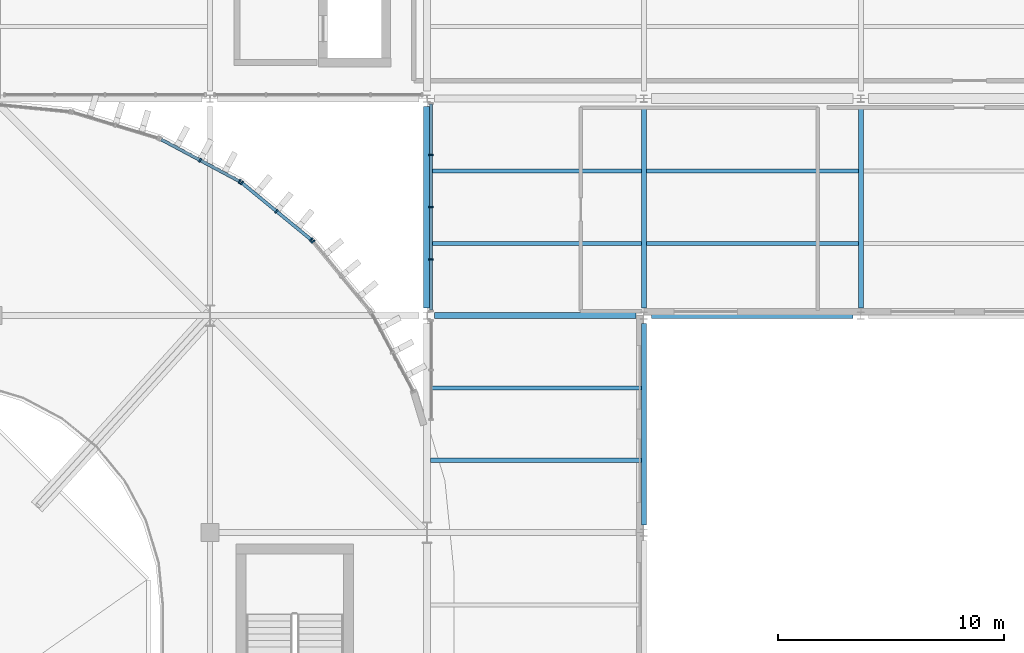
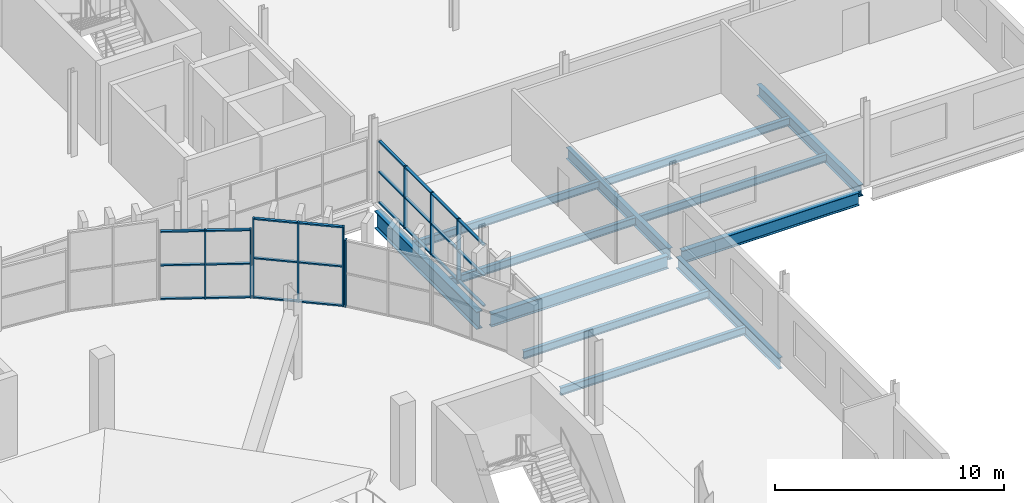
# One storey, part 31 of 69: 33 members, 12 beams, 4 elements without a shape of their own.
"""IFC4 building model written with IfcOpenShell, lengths in metres."""

from ifc_helpers import new_model, si_unit, direction, frame, origin, origin_2d, place, context, subcontext, project, spatial, rectangle, i_section, extrude, material, layer, layer_set, material_profile, profile_set, type_object, element, aggregate, save


model = new_model("IFC4")

# Units and contexts
model_context = context("Model", 3, precision=1e-05, world=origin(), true_north=direction((0.0, 1.0)))
body_context = subcontext(model_context, "Body", "Model", "MODEL_VIEW")
ifc_project = project(units=[si_unit("LENGTHUNIT", "METRE"), si_unit("AREAUNIT", "SQUARE_METRE"), si_unit("VOLUMEUNIT", "CUBIC_METRE"), si_unit("PLANEANGLEUNIT", "RADIAN"), si_unit("MASSUNIT", "GRAM", prefix="KILO")], contexts=[model_context])

# Site, building, storey
site_placement = place(None, origin())
site = spatial("IfcSite", under=ifc_project, at=site_placement, CompositionType="ELEMENT")
building_placement = place(site_placement, origin())
building = spatial("IfcBuilding", under=site, at=building_placement, Name="Caelomonte Colonnade Arena", CompositionType="ELEMENT")
storey_placement = place(building_placement, frame((0.0, 0.0, 18.60009765625)))
storey = spatial("IfcBuildingStorey", under=building, at=storey_placement, Name="L04", CompositionType="ELEMENT", Elevation=18.60009765625)

# Curtain wall, members
ifc_material_1 = material(Name="Bronze anodised aluminium and low-E glazing", Category="aluminium")
ifc_layer_1 = layer(ifc_material_1, 0.179931640625)
ifc_layer_set_1 = layer_set([ifc_layer_1], Name="Bronze anodised aluminium and low-E glazing")
curtain_wall_type_1 = type_object("IfcCurtainWallType", Name="ENV-CW-CW-L04-96-33", PredefinedType="USERDEFINED", material=ifc_layer_set_1)
curtain_wall_1_placement = place(storey_placement, origin())
curtain_wall_1 = element("IfcCurtainWall", 1, at=curtain_wall_1_placement, inside=storey, type_object=curtain_wall_type_1, Name="L04 unitized curtain wall CW-L04-1634-1104", ObjectType="UNITIZED CURTAIN WALL", PredefinedType="USERDEFINED")
ifc_material_2 = material(Name="Bronze anodised aluminium AA6063-T6", Category="aluminium")
ifc_material_profile_1 = material_profile(ifc_material_2, rectangle(XDim=0.070068359375, YDim=0.179931640625, at=origin_2d()), Name="CWM-70X180")
ifc_profile_set_1 = profile_set([ifc_material_profile_1], Name="Bronze anodised aluminium AA6063-T6")
member_type_1 = type_object("IfcMemberType", Name="ENV-CW-MULL1", PredefinedType="MULLION", material=ifc_profile_set_1)
member_1_placement = place(storey_placement, frame((163.3798828125, 112.713134765625, 0.0), z_axis=(0.0, 0.0, 1.0), x_axis=(0.0, -1.0, 0.0)))
member_1 = element("IfcMember", 2, at=member_1_placement, type_object=member_type_1, Name="CW-L04-96-33 mullion 2", PredefinedType="MULLION", context=body_context, shape_type="SweptSolid", body=[
    extrude(rectangle(XDim=0.070068359375, YDim=0.179931640625, at=origin_2d()), origin(), (0.0, 0.0, 1.0), 3.312744140625),
])
member_2_placement = place(storey_placement, frame((163.3798828125, 110.39990234375, 0.0), z_axis=(0.0, 0.0, 1.0), x_axis=(0.0, -1.0, 0.0)))
member_2 = element("IfcMember", 3, at=member_2_placement, type_object=member_type_1, Name="CW-L04-96-33 mullion 3", PredefinedType="MULLION", context=body_context, shape_type="SweptSolid", body=[
    extrude(rectangle(XDim=0.070068359375, YDim=0.179931640625, at=origin_2d()), origin(), (0.0, 0.0, 1.0), 3.312744140625),
])
member_3_placement = place(storey_placement, frame((163.3798828125, 108.0869140625, 0.0), z_axis=(0.0, 0.0, 1.0), x_axis=(0.0, -1.0, 0.0)))
member_3 = element("IfcMember", 4, at=member_3_placement, type_object=member_type_1, Name="CW-L04-96-33 mullion 4", PredefinedType="MULLION", context=body_context, shape_type="SweptSolid", body=[
    extrude(rectangle(XDim=0.070068359375, YDim=0.179931640625, at=origin_2d()), origin(), (0.0, 0.0, 1.0), 3.312744140625),
])

# Curtain wall, member
ifc_layer_2 = layer(ifc_material_1, 0.179931640625)
ifc_layer_set_2 = layer_set([ifc_layer_2], Name="Bronze anodised aluminium and low-E glazing")
curtain_wall_type_2 = type_object("IfcCurtainWallType", Name="ENV-CW-CW-L04-44-36", PredefinedType="USERDEFINED", material=ifc_layer_set_2)
curtain_wall_2_placement = place(storey_placement, origin())
curtain_wall_2 = element("IfcCurtainWall", 5, at=curtain_wall_2_placement, inside=storey, type_object=curtain_wall_type_2, Name="L04 unitized curtain wall CW-L04-1594-1073", ObjectType="UNITIZED CURTAIN WALL", PredefinedType="USERDEFINED")
member_4_placement = place(storey_placement, frame((158.15771484375, 108.876953125, 0.0), z_axis=(0.0, 0.0, 1.0), x_axis=(-0.634416071163, 0.772991751994, 0.0)))
member_4 = element("IfcMember", 6, at=member_4_placement, type_object=member_type_1, Name="CW-L04-44-36 mullion 3", PredefinedType="MULLION", context=body_context, shape_type="SweptSolid", body=[
    extrude(rectangle(XDim=0.070068359375, YDim=0.179931640625, at=origin_2d()), origin(), (0.0, 0.0, 1.0), 3.561767578125),
])
aggregate(curtain_wall_2, [member_4])

# Curtain wall, members
ifc_layer_3 = layer(ifc_material_1, 0.179931640625)
ifc_layer_set_3 = layer_set([ifc_layer_3], Name="Bronze anodised aluminium and low-E glazing")
curtain_wall_type_3 = type_object("IfcCurtainWallType", Name="ENV-CW-CW-L04-44-42", PredefinedType="USERDEFINED", material=ifc_layer_set_3)
curtain_wall_3_placement = place(storey_placement, origin())
curtain_wall_3 = element("IfcCurtainWall", 7, at=curtain_wall_3_placement, inside=storey, type_object=curtain_wall_type_3, Name="L04 unitized curtain wall CW-L04-1565-1102", ObjectType="UNITIZED CURTAIN WALL", PredefinedType="USERDEFINED")
member_5_placement = place(storey_placement, frame((158.0771484375, 108.95751953125, 0.0), z_axis=(0.0, 0.0, 1.0), x_axis=(-0.772991751994, 0.634416071163, 0.0)))
member_5 = element("IfcMember", 8, at=member_5_placement, type_object=member_type_1, Name="CW-L04-44-42 mullion 1", PredefinedType="MULLION", context=body_context, shape_type="SweptSolid", body=[
    extrude(rectangle(XDim=0.070068359375, YDim=0.179931640625, at=origin_2d()), origin(), (0.0, 0.0, 1.0), 4.239990234375),
])
member_6_placement = place(storey_placement, frame((156.5439453125, 110.2158203125, 0.0), z_axis=(0.0, 0.0, 1.0), x_axis=(-0.772991751994, 0.634416071163, 0.0)))
member_6 = element("IfcMember", 9, at=member_6_placement, type_object=member_type_1, Name="CW-L04-44-42 mullion 2", PredefinedType="MULLION", context=body_context, shape_type="SweptSolid", body=[
    extrude(rectangle(XDim=0.070068359375, YDim=0.179931640625, at=origin_2d()), origin(), (0.0, 0.0, 1.0), 4.239990234375),
])
member_7_placement = place(storey_placement, frame((155.0107421875, 111.47412109375, 0.0), z_axis=(0.0, 0.0, 1.0), x_axis=(-0.772991751994, 0.634416071163, 0.0)))
member_7 = element("IfcMember", 10, at=member_7_placement, type_object=member_type_1, Name="CW-L04-44-42 mullion 3", PredefinedType="MULLION", context=body_context, shape_type="SweptSolid", body=[
    extrude(rectangle(XDim=0.070068359375, YDim=0.179931640625, at=origin_2d()), origin(), (0.0, 0.0, 1.0), 4.239990234375),
])

curtain_wall_4_placement = place(storey_placement, origin())
curtain_wall_4 = element("IfcCurtainWall", 11, at=curtain_wall_4_placement, inside=storey, type_object=curtain_wall_type_2, Name="L04 unitized curtain wall CW-L04-1532-1125", ObjectType="UNITIZED CURTAIN WALL", PredefinedType="USERDEFINED")
member_8_placement = place(storey_placement, frame((154.916015625, 111.53759765625, 0.0), z_axis=(0.0, 0.0, 1.0), x_axis=(-0.881922613642, 0.471394212466, 0.0)))
member_8 = element("IfcMember", 12, at=member_8_placement, type_object=member_type_1, Name="CW-L04-44-36 mullion 1", PredefinedType="MULLION", context=body_context, shape_type="SweptSolid", body=[
    extrude(rectangle(XDim=0.070068359375, YDim=0.179931640625, at=origin_2d()), origin(), (0.0, 0.0, 1.0), 3.637939453125),
])
member_9_placement = place(storey_placement, frame((153.166748046875, 112.472412109375, 0.0), z_axis=(0.0, 0.0, 1.0), x_axis=(-0.881922613642, 0.471394212466, 0.0)))
member_9 = element("IfcMember", 13, at=member_9_placement, type_object=member_type_1, Name="CW-L04-44-36 mullion 2", PredefinedType="MULLION", context=body_context, shape_type="SweptSolid", body=[
    extrude(rectangle(XDim=0.070068359375, YDim=0.179931640625, at=origin_2d()), origin(), (0.0, 0.0, 1.0), 3.637939453125),
])

# Member
ifc_material_profile_2 = material_profile(ifc_material_2, rectangle(XDim=0.070068359375, YDim=0.139892578125, at=origin_2d()), Name="CWT-70X140")
ifc_profile_set_2 = profile_set([ifc_material_profile_2], Name="Bronze anodised aluminium AA6063-T6")
member_type_2 = type_object("IfcMemberType", Name="ENV-CW-TRAN1", PredefinedType="USERDEFINED", material=ifc_profile_set_2)
member_10_placement = place(storey_placement, frame((163.3798828125, 114.9560546875, 0.034912109375), z_axis=(0.0, -1.0, 0.0), x_axis=(0.0, 0.0, 1.0)))
member_10 = element("IfcMember", 14, at=member_10_placement, type_object=member_type_2, Name="CW-L04-96-33 transom 1.1", ObjectType="TRANSOM", PredefinedType="USERDEFINED", context=body_context, shape_type="SweptSolid", body=[
    extrude(rectangle(XDim=0.070068359375, YDim=0.139892578125, at=origin_2d()), origin(), (0.0, 0.0, 1.0), 2.2080078125),
])

member_11_placement = place(storey_placement, frame((163.3798828125, 114.9560546875, 1.65625), z_axis=(0.0, -1.0, 0.0), x_axis=(0.0, 0.0, 1.0)))
member_11 = element("IfcMember", 15, at=member_11_placement, type_object=member_type_2, Name="CW-L04-96-33 transom 1.2", ObjectType="TRANSOM", PredefinedType="USERDEFINED", context=body_context, shape_type="SweptSolid", body=[
    extrude(rectangle(XDim=0.070068359375, YDim=0.139892578125, at=origin_2d()), origin(), (0.0, 0.0, 1.0), 2.2080078125),
])

member_12_placement = place(storey_placement, frame((163.3798828125, 114.9560546875, 3.277587890625), z_axis=(0.0, -1.0, 0.0), x_axis=(0.0, 0.0, 1.0)))
member_12 = element("IfcMember", 16, at=member_12_placement, type_object=member_type_2, Name="CW-L04-96-33 transom 1.3", ObjectType="TRANSOM", PredefinedType="USERDEFINED", context=body_context, shape_type="SweptSolid", body=[
    extrude(rectangle(XDim=0.070068359375, YDim=0.139892578125, at=origin_2d()), origin(), (0.0, 0.0, 1.0), 2.2080078125),
])

member_13_placement = place(storey_placement, frame((163.3798828125, 112.677978515625, 0.034912109375), z_axis=(0.0, -1.0, 0.0), x_axis=(0.0, 0.0, 1.0)))
member_13 = element("IfcMember", 17, at=member_13_placement, type_object=member_type_2, Name="CW-L04-96-33 transom 2.1", ObjectType="TRANSOM", PredefinedType="USERDEFINED", context=body_context, shape_type="SweptSolid", body=[
    extrude(rectangle(XDim=0.070068359375, YDim=0.139892578125, at=origin_2d()), origin(), (0.0, 0.0, 1.0), 2.242919921875),
])

member_14_placement = place(storey_placement, frame((163.3798828125, 112.677978515625, 1.65625), z_axis=(0.0, -1.0, 0.0), x_axis=(0.0, 0.0, 1.0)))
member_14 = element("IfcMember", 18, at=member_14_placement, type_object=member_type_2, Name="CW-L04-96-33 transom 2.2", ObjectType="TRANSOM", PredefinedType="USERDEFINED", context=body_context, shape_type="SweptSolid", body=[
    extrude(rectangle(XDim=0.070068359375, YDim=0.139892578125, at=origin_2d()), origin(), (0.0, 0.0, 1.0), 2.242919921875),
])

member_15_placement = place(storey_placement, frame((163.3798828125, 112.677978515625, 3.277587890625), z_axis=(0.0, -1.0, 0.0), x_axis=(0.0, 0.0, 1.0)))
member_15 = element("IfcMember", 19, at=member_15_placement, type_object=member_type_2, Name="CW-L04-96-33 transom 2.3", ObjectType="TRANSOM", PredefinedType="USERDEFINED", context=body_context, shape_type="SweptSolid", body=[
    extrude(rectangle(XDim=0.070068359375, YDim=0.139892578125, at=origin_2d()), origin(), (0.0, 0.0, 1.0), 2.242919921875),
])

member_16_placement = place(storey_placement, frame((163.3798828125, 110.364990234375, 0.034912109375), z_axis=(0.0, -1.0, 0.0), x_axis=(0.0, 0.0, 1.0)))
member_16 = element("IfcMember", 20, at=member_16_placement, type_object=member_type_2, Name="CW-L04-96-33 transom 3.1", ObjectType="TRANSOM", PredefinedType="USERDEFINED", context=body_context, shape_type="SweptSolid", body=[
    extrude(rectangle(XDim=0.070068359375, YDim=0.139892578125, at=origin_2d()), origin(), (0.0, 0.0, 1.0), 2.242919921875),
])

member_17_placement = place(storey_placement, frame((163.3798828125, 110.364990234375, 1.65625), z_axis=(0.0, -1.0, 0.0), x_axis=(0.0, 0.0, 1.0)))
member_17 = element("IfcMember", 21, at=member_17_placement, type_object=member_type_2, Name="CW-L04-96-33 transom 3.2", ObjectType="TRANSOM", PredefinedType="USERDEFINED", context=body_context, shape_type="SweptSolid", body=[
    extrude(rectangle(XDim=0.070068359375, YDim=0.139892578125, at=origin_2d()), origin(), (0.0, 0.0, 1.0), 2.242919921875),
])

member_18_placement = place(storey_placement, frame((163.3798828125, 110.364990234375, 3.277587890625), z_axis=(0.0, -1.0, 0.0), x_axis=(0.0, 0.0, 1.0)))
member_18 = element("IfcMember", 22, at=member_18_placement, type_object=member_type_2, Name="CW-L04-96-33 transom 3.3", ObjectType="TRANSOM", PredefinedType="USERDEFINED", context=body_context, shape_type="SweptSolid", body=[
    extrude(rectangle(XDim=0.070068359375, YDim=0.139892578125, at=origin_2d()), origin(), (0.0, 0.0, 1.0), 2.242919921875),
])

member_19_placement = place(storey_placement, frame((163.3798828125, 108.052001953125, 0.034912109375), z_axis=(0.0, -1.0, 0.0), x_axis=(0.0, 0.0, 1.0)))
member_19 = element("IfcMember", 23, at=member_19_placement, type_object=member_type_2, Name="CW-L04-96-33 transom 4.1", ObjectType="TRANSOM", PredefinedType="USERDEFINED", context=body_context, shape_type="SweptSolid", body=[
    extrude(rectangle(XDim=0.070068359375, YDim=0.139892578125, at=origin_2d()), origin(), (0.0, 0.0, 1.0), 2.2080078125),
])

member_20_placement = place(storey_placement, frame((163.3798828125, 108.052001953125, 1.65625), z_axis=(0.0, -1.0, 0.0), x_axis=(0.0, 0.0, 1.0)))
member_20 = element("IfcMember", 24, at=member_20_placement, type_object=member_type_2, Name="CW-L04-96-33 transom 4.2", ObjectType="TRANSOM", PredefinedType="USERDEFINED", context=body_context, shape_type="SweptSolid", body=[
    extrude(rectangle(XDim=0.070068359375, YDim=0.139892578125, at=origin_2d()), origin(), (0.0, 0.0, 1.0), 2.2080078125),
])

member_21_placement = place(storey_placement, frame((163.3798828125, 108.052001953125, 3.277587890625), z_axis=(0.0, -1.0, 0.0), x_axis=(0.0, 0.0, 1.0)))
member_21 = element("IfcMember", 25, at=member_21_placement, type_object=member_type_2, Name="CW-L04-96-33 transom 4.3", ObjectType="TRANSOM", PredefinedType="USERDEFINED", context=body_context, shape_type="SweptSolid", body=[
    extrude(rectangle(XDim=0.070068359375, YDim=0.139892578125, at=origin_2d()), origin(), (0.0, 0.0, 1.0), 2.2080078125),
])

aggregate(curtain_wall_1, [member_1, member_2, member_3, member_10, member_11, member_12, member_13, member_14, member_15, member_16, member_17, member_18, member_19, member_20, member_21])

member_22_placement = place(storey_placement, frame((158.050048828125, 108.979736328125, 0.034912109375), z_axis=(-0.772989936128, 0.634418283662, 0.0), x_axis=(0.0, 0.0, 1.0)))
member_22 = element("IfcMember", 26, at=member_22_placement, type_object=member_type_2, Name="CW-L04-44-42 transom 1.1", ObjectType="TRANSOM", PredefinedType="USERDEFINED", context=body_context, shape_type="SweptSolid", body=[
    extrude(rectangle(XDim=0.070068359375, YDim=0.139892578125, at=origin_2d()), origin(), (0.0, 0.0, 1.0), 1.913330078125),
])

member_23_placement = place(storey_placement, frame((158.050048828125, 108.979736328125, 2.119873046875), z_axis=(-0.772989936128, 0.634418283662, 0.0), x_axis=(0.0, 0.0, 1.0)))
member_23 = element("IfcMember", 27, at=member_23_placement, type_object=member_type_2, Name="CW-L04-44-42 transom 1.2", ObjectType="TRANSOM", PredefinedType="USERDEFINED", context=body_context, shape_type="SweptSolid", body=[
    extrude(rectangle(XDim=0.070068359375, YDim=0.139892578125, at=origin_2d()), origin(), (0.0, 0.0, 1.0), 1.913330078125),
])

member_24_placement = place(storey_placement, frame((158.050048828125, 108.979736328125, 4.204833984375), z_axis=(-0.772989936128, 0.634418283662, 0.0), x_axis=(0.0, 0.0, 1.0)))
member_24 = element("IfcMember", 28, at=member_24_placement, type_object=member_type_2, Name="CW-L04-44-42 transom 1.3", ObjectType="TRANSOM", PredefinedType="USERDEFINED", context=body_context, shape_type="SweptSolid", body=[
    extrude(rectangle(XDim=0.070068359375, YDim=0.139892578125, at=origin_2d()), origin(), (0.0, 0.0, 1.0), 1.913330078125),
])

member_25_placement = place(storey_placement, frame((156.516845703125, 110.238037109375, 0.034912109375), z_axis=(-0.772989936128, 0.634418283662, 0.0), x_axis=(0.0, 0.0, 1.0)))
member_25 = element("IfcMember", 29, at=member_25_placement, type_object=member_type_2, Name="CW-L04-44-42 transom 2.1", ObjectType="TRANSOM", PredefinedType="USERDEFINED", context=body_context, shape_type="SweptSolid", body=[
    extrude(rectangle(XDim=0.070068359375, YDim=0.139892578125, at=origin_2d()), origin(), (0.0, 0.0, 1.0), 1.913330078125),
])

member_26_placement = place(storey_placement, frame((156.516845703125, 110.238037109375, 2.119873046875), z_axis=(-0.772989936128, 0.634418283662, 0.0), x_axis=(0.0, 0.0, 1.0)))
member_26 = element("IfcMember", 30, at=member_26_placement, type_object=member_type_2, Name="CW-L04-44-42 transom 2.2", ObjectType="TRANSOM", PredefinedType="USERDEFINED", context=body_context, shape_type="SweptSolid", body=[
    extrude(rectangle(XDim=0.070068359375, YDim=0.139892578125, at=origin_2d()), origin(), (0.0, 0.0, 1.0), 1.913330078125),
])

member_27_placement = place(storey_placement, frame((156.516845703125, 110.238037109375, 4.204833984375), z_axis=(-0.772989936128, 0.634418283662, 0.0), x_axis=(0.0, 0.0, 1.0)))
member_27 = element("IfcMember", 31, at=member_27_placement, type_object=member_type_2, Name="CW-L04-44-42 transom 2.3", ObjectType="TRANSOM", PredefinedType="USERDEFINED", context=body_context, shape_type="SweptSolid", body=[
    extrude(rectangle(XDim=0.070068359375, YDim=0.139892578125, at=origin_2d()), origin(), (0.0, 0.0, 1.0), 1.913330078125),
])

aggregate(curtain_wall_3, [member_5, member_6, member_7, member_22, member_23, member_24, member_25, member_26, member_27])

member_28_placement = place(storey_placement, frame((154.88525390625, 111.553955078125, 0.034912109375), z_axis=(-0.881896914799, 0.471442288799, 0.0), x_axis=(0.0, 0.0, 1.0)))
member_28 = element("IfcMember", 32, at=member_28_placement, type_object=member_type_2, Name="CW-L04-44-36 transom 1.1", ObjectType="TRANSOM", PredefinedType="USERDEFINED", context=body_context, shape_type="SweptSolid", body=[
    extrude(rectangle(XDim=0.070068359375, YDim=0.139892578125, at=origin_2d()), origin(), (0.0, 0.0, 1.0), 1.91357421875),
])

member_29_placement = place(storey_placement, frame((154.88525390625, 111.553955078125, 1.81884765625), z_axis=(-0.881896914799, 0.471442288799, 0.0), x_axis=(0.0, 0.0, 1.0)))
member_29 = element("IfcMember", 33, at=member_29_placement, type_object=member_type_2, Name="CW-L04-44-36 transom 1.2", ObjectType="TRANSOM", PredefinedType="USERDEFINED", context=body_context, shape_type="SweptSolid", body=[
    extrude(rectangle(XDim=0.070068359375, YDim=0.139892578125, at=origin_2d()), origin(), (0.0, 0.0, 1.0), 1.91357421875),
])

member_30_placement = place(storey_placement, frame((154.88525390625, 111.553955078125, 3.602783203125), z_axis=(-0.881896914799, 0.471442288799, 0.0), x_axis=(0.0, 0.0, 1.0)))
member_30 = element("IfcMember", 34, at=member_30_placement, type_object=member_type_2, Name="CW-L04-44-36 transom 1.3", ObjectType="TRANSOM", PredefinedType="USERDEFINED", context=body_context, shape_type="SweptSolid", body=[
    extrude(rectangle(XDim=0.070068359375, YDim=0.139892578125, at=origin_2d()), origin(), (0.0, 0.0, 1.0), 1.91357421875),
])

member_31_placement = place(storey_placement, frame((153.135986328125, 112.489013671875, 0.034912109375), z_axis=(-0.88194995936, 0.471343048304, 0.0), x_axis=(0.0, 0.0, 1.0)))
member_31 = element("IfcMember", 35, at=member_31_placement, type_object=member_type_2, Name="CW-L04-44-36 transom 2.1", ObjectType="TRANSOM", PredefinedType="USERDEFINED", context=body_context, shape_type="SweptSolid", body=[
    extrude(rectangle(XDim=0.070068359375, YDim=0.139892578125, at=origin_2d()), origin(), (0.0, 0.0, 1.0), 1.913330078125),
])

member_32_placement = place(storey_placement, frame((153.135986328125, 112.489013671875, 1.81884765625), z_axis=(-0.88194995936, 0.471343048304, 0.0), x_axis=(0.0, 0.0, 1.0)))
member_32 = element("IfcMember", 36, at=member_32_placement, type_object=member_type_2, Name="CW-L04-44-36 transom 2.2", ObjectType="TRANSOM", PredefinedType="USERDEFINED", context=body_context, shape_type="SweptSolid", body=[
    extrude(rectangle(XDim=0.070068359375, YDim=0.139892578125, at=origin_2d()), origin(), (0.0, 0.0, 1.0), 1.913330078125),
])

member_33_placement = place(storey_placement, frame((153.135986328125, 112.489013671875, 3.602783203125), z_axis=(-0.88194995936, 0.471343048304, 0.0), x_axis=(0.0, 0.0, 1.0)))
member_33 = element("IfcMember", 37, at=member_33_placement, type_object=member_type_2, Name="CW-L04-44-36 transom 2.3", ObjectType="TRANSOM", PredefinedType="USERDEFINED", context=body_context, shape_type="SweptSolid", body=[
    extrude(rectangle(XDim=0.070068359375, YDim=0.139892578125, at=origin_2d()), origin(), (0.0, 0.0, 1.0), 1.913330078125),
])

aggregate(curtain_wall_4, [member_8, member_9, member_28, member_29, member_30, member_31, member_32, member_33])

# Beams
ifc_material_3 = material(Name="Wide-flange steel ASTM A992 Grade 50", Category="steel")
ifc_material_profile_3 = material_profile(ifc_material_3, i_section(OverallWidth=0.307861328125, OverallDepth=0.927001953125, WebThickness=0.019287109375, FlangeThickness=0.031982421875, FilletRadius=0.020263671875, at=origin_2d()), Name="W36X194")
ifc_profile_set_3 = profile_set([ifc_material_profile_3], Name="Wide-flange steel ASTM A992 Grade 50")
beam_type_1 = type_object("IfcBeamType", Name="STR-BM-EAVES2", PredefinedType="SPANDREL", material=ifc_profile_set_3)
beam_placement = place(storey_placement, frame((163.199951171875, 105.94189453125, -0.7236328125), z_axis=(0.0, 1.0, 0.0), x_axis=(-1.0, 0.0, 0.0)))
element("IfcBeam", 38, at=beam_placement, inside=storey, type_object=beam_type_1, Name="L04 girder BMY-L04-1632-1056", PredefinedType="SPANDREL", context=body_context, shape_type="SweptSolid", body=[
    extrude(i_section(OverallWidth=0.307861328125, OverallDepth=0.927001953125, WebThickness=0.019287109375, FlangeThickness=0.031982421875, FilletRadius=0.020263671875, at=origin_2d()), origin(), (0.0, 0.0, 1.0), 8.916015625),
])
ifc_material_profile_4 = material_profile(ifc_material_3, i_section(OverallWidth=0.227783203125, OverallDepth=0.60205078125, WebThickness=0.010498046875, FlangeThickness=0.014892578125, FilletRadius=0.0126953125, at=origin_2d()), Name="W24X68")
ifc_profile_set_4 = profile_set([ifc_material_profile_4], Name="Wide-flange steel ASTM A992 Grade 50")
beam_type_2 = type_object("IfcBeamType", Name="STR-BM-GIRD24B", PredefinedType="SPANDREL", material=ifc_profile_set_4)
for number, where, z_axis, x_axis, name in (
    (39, (172.800048828125, 96.342041015625, -0.56103515625), (0.0, 1.0, 0.0), (-1.0, 0.0, 0.0), "L04 girder BMY-L04-1728-0960"),
    (40, (172.800048828125, 105.94189453125, -0.56103515625), (0.0, 1.0, 0.0), (-1.0, 0.0, 0.0), "L04 girder BMY-L04-1728-1056"),
    (41, (182.39990234375, 105.94189453125, -0.56103515625), (0.0, 1.0, 0.0), (-1.0, 0.0, 0.0), "L04 girder BMY-L04-1824-1056"),
):
    element("IfcBeam", number, at=place(storey_placement, frame(where, z_axis=z_axis, x_axis=x_axis)), inside=storey, type_object=beam_type_2, Name=name, PredefinedType="SPANDREL", context=body_context, shape_type="SweptSolid", body=[
        extrude(i_section(OverallWidth=0.227783203125, OverallDepth=0.60205078125, WebThickness=0.010498046875, FlangeThickness=0.014892578125, FilletRadius=0.0126953125, at=origin_2d()), origin(), (0.0, 0.0, 1.0), 8.916015625),
    ])
ifc_material_profile_5 = material_profile(ifc_material_3, i_section(OverallWidth=0.253662109375, OverallDepth=0.683349609375, WebThickness=0.012451171875, FlangeThickness=0.018798828125, FilletRadius=0.01513671875, at=origin_2d()), Name="W27X94")
ifc_profile_set_5 = profile_set([ifc_material_profile_5], Name="Wide-flange steel ASTM A992 Grade 50")
beam_type_3 = type_object("IfcBeamType", Name="STR-BM-GIRD27", PredefinedType="BEAM", material=ifc_profile_set_5)
for number, where, z_axis, x_axis, name in (
    (42, (163.5419921875, 105.60009765625, -0.601806640625), (1.0, 0.0, 0.0), (0.0, 1.0, 0.0), "L04 girder BMX-L04-1632-1056"),
    (43, (173.14208984375, 105.60009765625, -0.601806640625), (1.0, 0.0, 0.0), (0.0, 1.0, 0.0), "L04 girder BMX-L04-1728-1056"),
):
    element("IfcBeam", number, at=place(storey_placement, frame(where, z_axis=z_axis, x_axis=x_axis)), inside=storey, type_object=beam_type_3, Name=name, PredefinedType="BEAM", context=body_context, shape_type="SweptSolid", body=[
        extrude(i_section(OverallWidth=0.253662109375, OverallDepth=0.683349609375, WebThickness=0.012451171875, FlangeThickness=0.018798828125, FilletRadius=0.01513671875, at=origin_2d()), origin(), (0.0, 0.0, 1.0), 8.916015625),
    ])
ifc_material_profile_6 = material_profile(ifc_material_3, i_section(OverallWidth=0.177734375, OverallDepth=0.406494140625, WebThickness=0.0078125, FlangeThickness=0.0126953125, FilletRadius=0.01025390625, at=origin_2d()), Name="W16X40")
ifc_profile_set_6 = profile_set([ifc_material_profile_6], Name="Wide-flange steel ASTM A992 Grade 50")
beam_type_4 = type_object("IfcBeamType", Name="STR-BM-JOIST16", PredefinedType="JOIST", material=ifc_profile_set_6)
for number, where, z_axis, x_axis, name in (
    (44, (163.348876953125, 99.199951171875, -0.46337890625), (1.0, 0.0, 0.0), (0.0, 1.0, 0.0), "L04 secondary joist 1"),
    (45, (163.348876953125, 102.39990234375, -0.46337890625), (1.0, 0.0, 0.0), (0.0, 1.0, 0.0), "L04 secondary joist 2"),
    (46, (163.348876953125, 108.800048828125, -0.46337890625), (1.0, 0.0, 0.0), (0.0, 1.0, 0.0), "L04 secondary joist 1"),
    (47, (163.348876953125, 112.0, -0.46337890625), (1.0, 0.0, 0.0), (0.0, 1.0, 0.0), "L04 secondary joist 2"),
):
    element("IfcBeam", number, at=place(storey_placement, frame(where, z_axis=z_axis, x_axis=x_axis)), inside=storey, type_object=beam_type_4, Name=name, PredefinedType="JOIST", context=body_context, shape_type="SweptSolid", body=[
        extrude(i_section(OverallWidth=0.177734375, OverallDepth=0.406494140625, WebThickness=0.0078125, FlangeThickness=0.0126953125, FilletRadius=0.01025390625, at=origin_2d()), origin(), (0.0, 0.0, 1.0), 9.34228515625),
    ])
for number, where, z_axis, x_axis, name in (
    (48, (172.908935546875, 108.800048828125, -0.46337890625), (1.0, 0.0, 0.0), (0.0, 1.0, 0.0), "L04 secondary joist 1"),
    (49, (172.908935546875, 112.0, -0.46337890625), (1.0, 0.0, 0.0), (0.0, 1.0, 0.0), "L04 secondary joist 2"),
):
    element("IfcBeam", number, at=place(storey_placement, frame(where, z_axis=z_axis, x_axis=x_axis)), inside=storey, type_object=beam_type_4, Name=name, PredefinedType="JOIST", context=body_context, shape_type="SweptSolid", body=[
        extrude(i_section(OverallWidth=0.177734375, OverallDepth=0.406494140625, WebThickness=0.0078125, FlangeThickness=0.0126953125, FilletRadius=0.01025390625, at=origin_2d()), origin(), (0.0, 0.0, 1.0), 9.382080078125),
    ])

save(model, "model.ifc")
